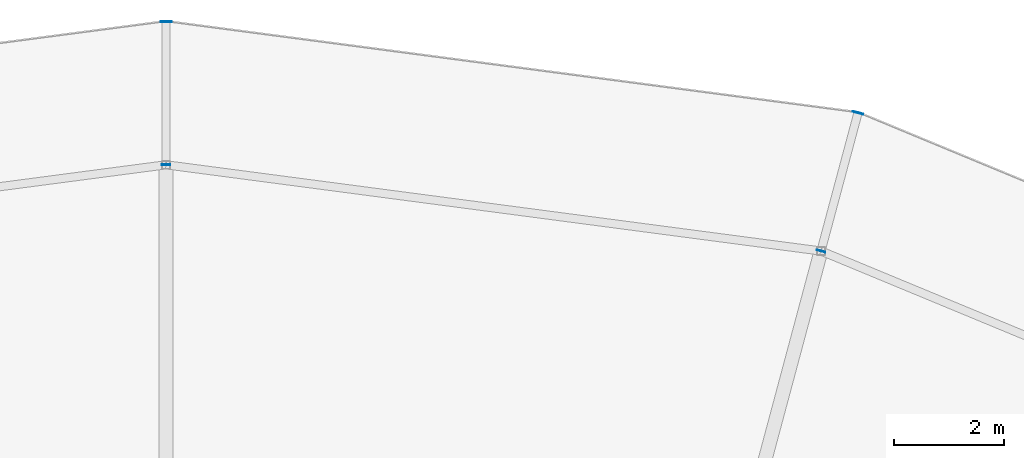
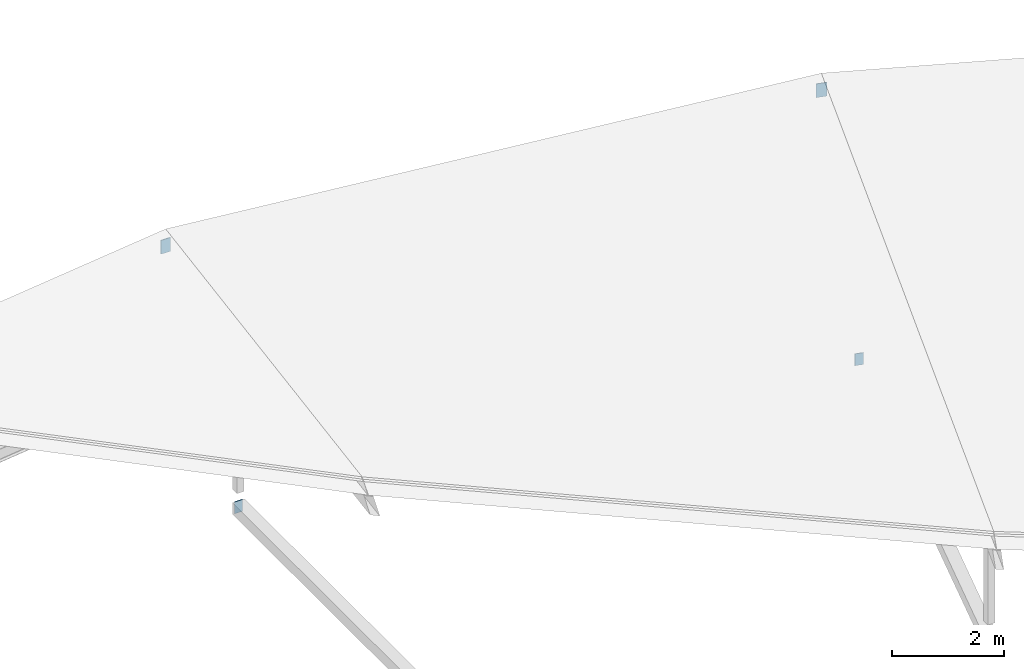
# One storey, part 50 of 70: 4 plates.
"""IFC4 building model written with IfcOpenShell, lengths in metres."""

from ifc_helpers import new_model, si_unit, direction, frame, origin, origin_2d, place, context, subcontext, project, spatial, rectangle, extrude, material, layer, layer_set, type_object, element, save


model = new_model("IFC4")

# Units and contexts
model_context = context("Model", 3, precision=1e-05, world=origin(), true_north=direction((0.0, 1.0)))
body_context = subcontext(model_context, "Body", "Model", "MODEL_VIEW")
ifc_project = project(units=[si_unit("LENGTHUNIT", "METRE"), si_unit("AREAUNIT", "SQUARE_METRE"), si_unit("VOLUMEUNIT", "CUBIC_METRE"), si_unit("PLANEANGLEUNIT", "RADIAN"), si_unit("MASSUNIT", "GRAM", prefix="KILO")], contexts=[model_context])

# Site, building, storey
site_placement = place(None, origin())
site = spatial("IfcSite", under=ifc_project, at=site_placement, CompositionType="ELEMENT")
building_placement = place(site_placement, origin())
building = spatial("IfcBuilding", under=site, at=building_placement, Name="Vondelvale Polytechnic", CompositionType="ELEMENT")
storey_placement = place(building_placement, frame((0.0, 0.0, 22.199951171875)))
storey = spatial("IfcBuildingStorey", under=building, at=storey_placement, Name="L05", CompositionType="ELEMENT", Elevation=22.199951171875)

# Plates
ifc_material = material(Name="Steel Grade 350 (fy = 340 MPa)", Category="steel")
ifc_layer_1 = layer(ifc_material, 0.01611328125)
ifc_layer_set_1 = layer_set([ifc_layer_1], Name="PLATE-CAP-300x200")
plate_type_1 = type_object("IfcPlateType", Name="PLATE-CAP-300x200", PredefinedType="USERDEFINED", material=ifc_layer_set_1)
for number, where, z_axis, x_axis, name in (
    (1, (114.57861328125, 118.944091796875, 3.61572265625), (0.0, 0.0, 1.0), (-0.258819045103, -0.965925826289, 0.0), "Ring rafter hollow end cap plate 05O"),
    (2, (102.0, 120.60009765625, 3.61572265625), (0.0, 0.0, 1.0), (0.0, -1.0, 0.0), "Ring rafter hollow end cap plate 06O"),
):
    element("IfcPlate", number, at=place(storey_placement, frame(where, z_axis=z_axis, x_axis=x_axis)), inside=storey, type_object=plate_type_1, Name=name, ObjectType="CAP_PLATE", PredefinedType="USERDEFINED", context=body_context, shape_type="SweptSolid", body=[
        extrude(rectangle(XDim=0.01611328125, YDim=0.199951171875, at=origin_2d()), origin(), (0.0, 0.0, 1.0), 0.300048828125),
    ])
ifc_layer_2 = layer(ifc_material, 0.013916015625)
ifc_layer_set_2 = layer_set([ifc_layer_2], Name="PLATE-CAP-C03")
plate_type_2 = type_object("IfcPlateType", Name="PLATE-CAP-C03", PredefinedType="USERDEFINED", material=ifc_layer_set_2)
for number, where, z_axis, x_axis, name in (
    (3, (113.90576171875, 116.4326171875, -0.47998046875), (0.0, 0.0, 1.0), (-0.258819045103, -0.965925826289, 0.0), "Ring workshop truss chord end cap 05O"),
    (4, (102.0, 118.0, -0.47998046875), (0.0, 0.0, 1.0), (0.0, -1.0, 0.0), "Ring workshop truss chord end cap 06O"),
):
    element("IfcPlate", number, at=place(storey_placement, frame(where, z_axis=z_axis, x_axis=x_axis)), inside=storey, type_object=plate_type_2, Name=name, ObjectType="CAP_PLATE", PredefinedType="USERDEFINED", context=body_context, shape_type="SweptSolid", body=[
        extrude(rectangle(XDim=0.013916015625, YDim=0.159912109375, at=origin_2d()), origin(), (0.0, 0.0, 1.0), 0.260009765625),
    ])

save(model, "model.ifc")
